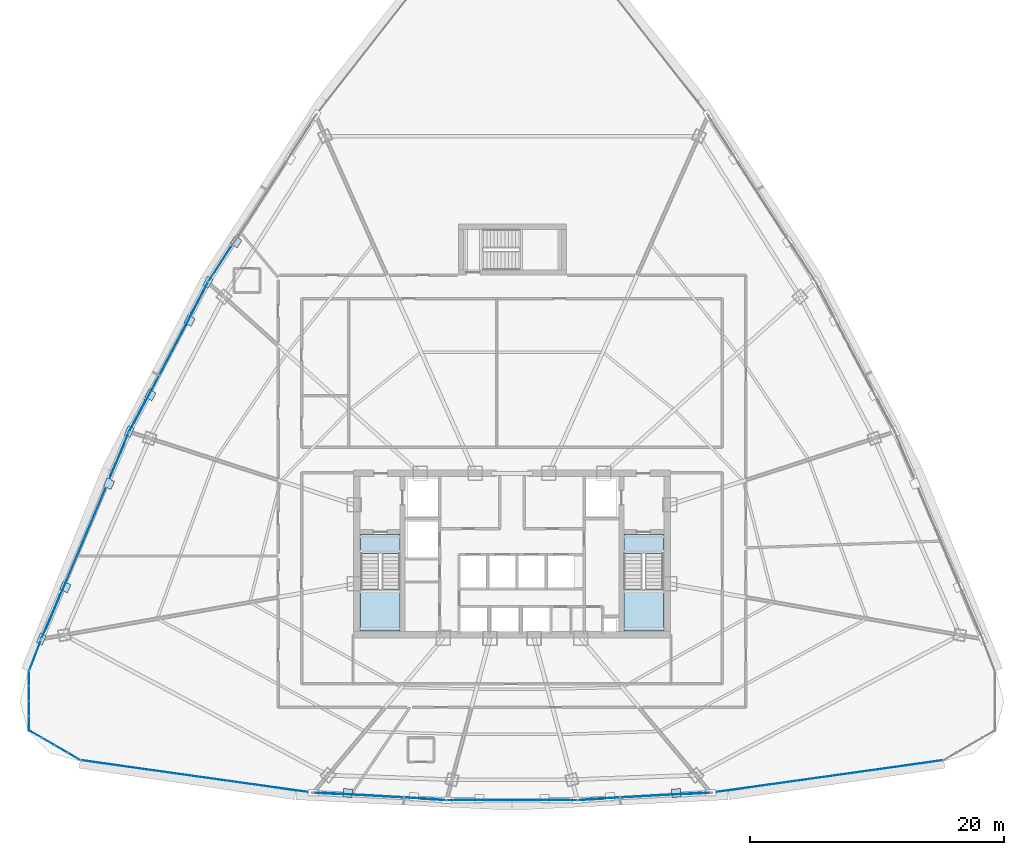
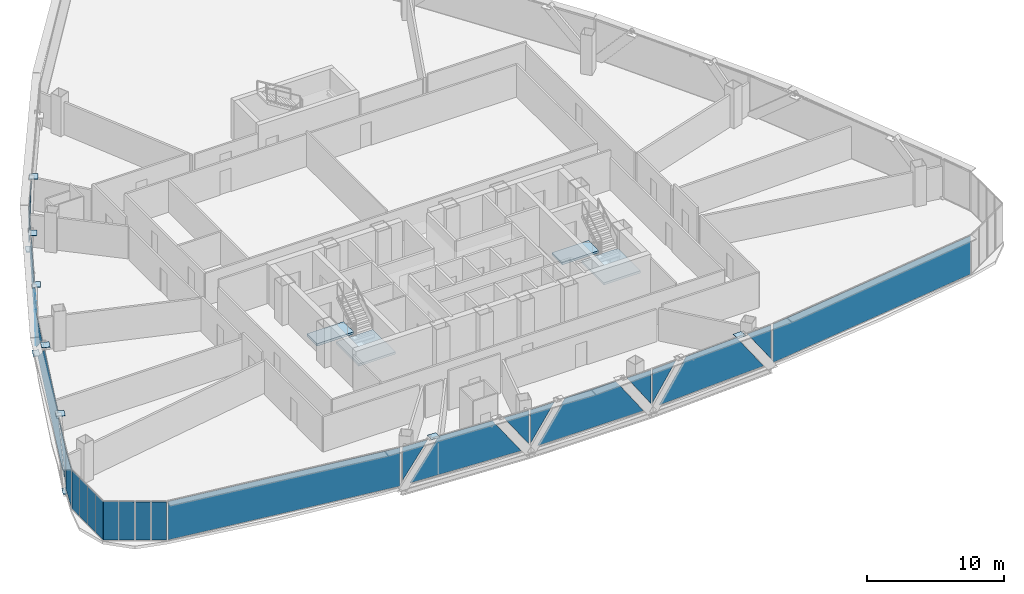
# One storey, part 27 of 37: 37 plates, 4 slabs, 13 elements without a shape of their own.
"""IFC4 building model written with IfcOpenShell, lengths in metres."""

from ifc_helpers import new_model, si_unit, direction, frame, origin, origin_2d, place, context, subcontext, project, spatial, polyline, rectangle, outline, extrude, source, transform, mapped, material, layer, layer_set, type_object, element, aggregate, save


model = new_model("IFC4")

# Units and contexts
model_context = context("Model", 3, precision=1e-05, world=origin(), true_north=direction((0.0, 1.0)))
body_context = subcontext(model_context, "Body", "Model", "MODEL_VIEW")
ifc_project = project(units=[si_unit("LENGTHUNIT", "METRE"), si_unit("AREAUNIT", "SQUARE_METRE"), si_unit("VOLUMEUNIT", "CUBIC_METRE"), si_unit("PLANEANGLEUNIT", "RADIAN"), si_unit("MASSUNIT", "GRAM", prefix="KILO"), si_unit("THERMODYNAMICTEMPERATUREUNIT", "KELVIN"), si_unit("POWERUNIT", "WATT")], contexts=[model_context])

# Site, building, storey
site_placement = place(None, origin())
site = spatial("IfcSite", under=ifc_project, at=site_placement, CompositionType="ELEMENT")
building_placement = place(site_placement, origin())
building = spatial("IfcBuilding", under=site, at=building_placement, Name="Yunzhuo Pagoda Commons", CompositionType="ELEMENT")
storey_placement = place(building_placement, frame((0.0, 0.0, 207.56005859375)))
storey = spatial("IfcBuildingStorey", under=building, at=storey_placement, Name="L52", CompositionType="ELEMENT", Elevation=207.56005859375)

# Curtain wall, plates
ifc_material_1 = material(Name="Anodized aluminium 6063-T6", Category="aluminium")
ifc_layer_1 = layer(ifc_material_1, 0.14990234375)
ifc_layer_set_1 = layer_set([ifc_layer_1], Name="Anodized aluminium 6063-T6")
curtain_wall_type_1 = type_object("IfcCurtainWallType", Name="CW-MID Mid-Zone Ribbon Curtain Wall", PredefinedType="NOTDEFINED", material=ifc_layer_set_1)
curtain_wall_1_placement = place(storey_placement, origin())
curtain_wall_1 = element("IfcCurtainWall", 1, at=curtain_wall_1_placement, inside=storey, type_object=curtain_wall_type_1, Name="L52 curtain wall CW-L52-F1B2", PredefinedType="NOTDEFINED")
ifc_material_2 = material(Name="Tempered low-e double glazing", Category="glass")
ifc_layer_2 = layer(ifc_material_2, 0.028076171875)
ifc_layer_set_2 = layer_set([ifc_layer_2], Name="Tempered low-e double glazing")
plate_type_1 = type_object("IfcPlateType", Name="CW-MID-P Low-E Double Glazing 28", PredefinedType="CURTAIN_PANEL", material=ifc_layer_set_2)
plate_1_placement = place(storey_placement, frame((33.46875, 15.035400390625, 1.990234375), z_axis=(-0.055819443993, -0.998440879408, 0.0), x_axis=(0.998440879408, -0.055819443993, 0.0)))
plate_1 = element("IfcPlate", 2, at=plate_1_placement, type_object=plate_type_1, Name="CW panel 1.1 lite 1", PredefinedType="CURTAIN_PANEL", context=body_context, shape_type="SweptSolid", body=[
    extrude(outline(polyline([(-1.03173828125, -1.49462890625), (1.03173828125, 1.49462890625), (-1.03173828125, 1.49462890625), (-1.03173828125, -1.49462890625)])), origin(), (0.0, 0.0, 1.0), 0.028076171875),
])
plate_2_placement = place(storey_placement, frame((37.61865234375, 14.83349609375, 1.77001953125), z_axis=(-0.055819443993, -0.998440879408, 0.0), x_axis=(0.998440879408, -0.055819443993, 0.0)))
plate_2 = element("IfcPlate", 3, at=plate_2_placement, type_object=plate_type_1, Name="CW panel 1.1 lite 2", PredefinedType="CURTAIN_PANEL", context=body_context, shape_type="SweptSolid", body=[
    extrude(outline(polyline([(-4.567138671875, -1.715087890625), (4.567138671875, -1.715087890625), (2.199462890625, 1.715087890625), (-2.199462890625, 1.715087890625), (-4.567138671875, -1.715087890625)])), origin(), (0.0, 0.0, 1.0), 0.028076171875),
])
plate_3_placement = place(storey_placement, frame((41.76513671875, 14.571533203125, 1.990234375), z_axis=(-0.055819443993, -0.998440879408, 0.0), x_axis=(0.998440879408, -0.055819443993, 0.0)))
plate_3 = element("IfcPlate", 4, at=plate_3_placement, type_object=plate_type_1, Name="CW panel 1.1 lite 3", PredefinedType="CURTAIN_PANEL", context=body_context, shape_type="SweptSolid", body=[
    extrude(outline(polyline([(-1.03173828125, 1.49462890625), (1.03173828125, -1.49462890625), (1.03173828125, 1.49462890625), (-1.03173828125, 1.49462890625)])), origin(), (0.0, 0.0, 1.0), 0.028076171875),
])
aggregate(curtain_wall_1, [plate_1, plate_2, plate_3])

curtain_wall_2_placement = place(storey_placement, origin())
curtain_wall_2 = element("IfcCurtainWall", 5, at=curtain_wall_2_placement, inside=storey, type_object=curtain_wall_type_1, Name="L52 curtain wall CW-L52-F1B3", PredefinedType="NOTDEFINED")
plate_4_placement = place(storey_placement, frame((43.9228515625, 14.5107421875, 1.99560546875), z_axis=(0.0, -1.0, 0.0), x_axis=(1.0, 0.0, 0.0)))
plate_4 = element("IfcPlate", 6, at=plate_4_placement, type_object=plate_type_1, Name="CW panel 1.1 lite 1", PredefinedType="CURTAIN_PANEL", context=body_context, shape_type="SweptSolid", body=[
    extrude(outline(polyline([(-1.00830078125, -1.4892578125), (1.00830078125, 1.4892578125), (-1.00830078125, 1.4892578125), (-1.00830078125, -1.4892578125)])), origin(), (0.0, 0.0, 1.0), 0.028076171875),
])
plate_5_placement = place(storey_placement, frame((48.0, 14.541015625, 1.77001953125), z_axis=(0.0, -1.0, 0.0), x_axis=(1.0, 0.0, 0.0)))
plate_5 = element("IfcPlate", 7, at=plate_5_placement, type_object=plate_type_1, Name="CW panel 1.1 lite 2", PredefinedType="CURTAIN_PANEL", context=body_context, shape_type="SweptSolid", body=[
    extrude(outline(polyline([(-4.473388671875, -1.715087890625), (4.473388671875, -1.715087890625), (2.15087890625, 1.715087890625), (-2.15087890625, 1.715087890625), (-4.473388671875, -1.715087890625)])), origin(), (0.0, 0.0, 1.0), 0.028076171875),
])
plate_6_placement = place(storey_placement, frame((52.0771484375, 14.5107421875, 1.99560546875), z_axis=(0.0, -1.0, 0.0), x_axis=(1.0, 0.0, 0.0)))
plate_6 = element("IfcPlate", 8, at=plate_6_placement, type_object=plate_type_1, Name="CW panel 1.1 lite 3", PredefinedType="CURTAIN_PANEL", context=body_context, shape_type="SweptSolid", body=[
    extrude(outline(polyline([(-1.00830078125, 1.4892578125), (1.00830078125, -1.4892578125), (1.00830078125, 1.4892578125), (-1.00830078125, 1.4892578125)])), origin(), (0.0, 0.0, 1.0), 0.028076171875),
])
aggregate(curtain_wall_2, [plate_4, plate_5, plate_6])

curtain_wall_3_placement = place(storey_placement, origin())
curtain_wall_3 = element("IfcCurtainWall", 9, at=curtain_wall_3_placement, inside=storey, type_object=curtain_wall_type_1, Name="L52 curtain wall CW-L52-F1B4", PredefinedType="NOTDEFINED")
plate_7_placement = place(storey_placement, frame((54.23486328125, 14.571533203125, 1.990234375), z_axis=(0.055819443993, -0.998440879408, 0.0), x_axis=(0.998440879408, 0.055819443993, 0.0)))
plate_7 = element("IfcPlate", 10, at=plate_7_placement, type_object=plate_type_1, Name="CW panel 1.1 lite 1", PredefinedType="CURTAIN_PANEL", context=body_context, shape_type="SweptSolid", body=[
    extrude(outline(polyline([(-1.03173828125, -1.49462890625), (1.03173828125, 1.49462890625), (-1.03173828125, 1.49462890625), (-1.03173828125, -1.49462890625)])), origin(), (0.0, 0.0, 1.0), 0.028076171875),
])
plate_8_placement = place(storey_placement, frame((58.38134765625, 14.83349609375, 1.77001953125), z_axis=(0.055819443993, -0.998440879408, 0.0), x_axis=(0.998440879408, 0.055819443993, 0.0)))
plate_8 = element("IfcPlate", 11, at=plate_8_placement, type_object=plate_type_1, Name="CW panel 1.1 lite 2", PredefinedType="CURTAIN_PANEL", context=body_context, shape_type="SweptSolid", body=[
    extrude(outline(polyline([(-4.567138671875, -1.715087890625), (4.567138671875, -1.715087890625), (2.199462890625, 1.715087890625), (-2.199462890625, 1.715087890625), (-4.567138671875, -1.715087890625)])), origin(), (0.0, 0.0, 1.0), 0.028076171875),
])
plate_9_placement = place(storey_placement, frame((62.53125, 15.035400390625, 1.990234375), z_axis=(0.055819443993, -0.998440879408, 0.0), x_axis=(0.998440879408, 0.055819443993, 0.0)))
plate_9 = element("IfcPlate", 12, at=plate_9_placement, type_object=plate_type_1, Name="CW panel 1.1 lite 3", PredefinedType="CURTAIN_PANEL", context=body_context, shape_type="SweptSolid", body=[
    extrude(outline(polyline([(-1.03173828125, 1.49462890625), (1.03173828125, -1.49462890625), (1.03173828125, 1.49462890625), (-1.03173828125, 1.49462890625)])), origin(), (0.0, 0.0, 1.0), 0.028076171875),
])
aggregate(curtain_wall_3, [plate_7, plate_8, plate_9])

# Curtain wall, plate
curtain_wall_4_placement = place(storey_placement, origin())
curtain_wall_4 = element("IfcCurtainWall", 13, at=curtain_wall_4_placement, inside=storey, type_object=curtain_wall_type_1, Name="L52 curtain wall CW-L52-F3B2", PredefinedType="NOTDEFINED")
plate_10_placement = place(storey_placement, frame((25.01171875, 56.637451171875, 1.90673828125), z_axis=(-0.839965077478, 0.542640459805, 0.0), x_axis=(-0.542640459805, -0.839965077478, 0.0)))
plate_10 = element("IfcPlate", 14, at=plate_10_placement, type_object=plate_type_1, Name="CW panel 1.1 lite 3", PredefinedType="CURTAIN_PANEL", context=body_context, shape_type="SweptSolid", body=[
    extrude(outline(polyline([(-1.622802734375, 1.578369140625), (1.623046875, -1.578369140625), (1.623046875, 1.578369140625), (-1.622802734375, 1.578369140625)])), origin(), (0.0, 0.0, 1.0), 0.028076171875),
])
aggregate(curtain_wall_4, [plate_10])

# Curtain wall, plates
curtain_wall_5_placement = place(storey_placement, origin())
curtain_wall_5 = element("IfcCurtainWall", 15, at=curtain_wall_5_placement, inside=storey, type_object=curtain_wall_type_1, Name="L52 curtain wall CW-L52-F3B3", PredefinedType="NOTDEFINED")
plate_11_placement = place(storey_placement, frame((23.43994140625, 53.97412109375, 1.935546875), z_axis=(-0.884591690585, 0.466366316267, 0.0), x_axis=(-0.466366316267, -0.884591690585, 0.0)))
plate_11 = element("IfcPlate", 16, at=plate_11_placement, type_object=plate_type_1, Name="CW panel 1.1 lite 1", PredefinedType="CURTAIN_PANEL", context=body_context, shape_type="SweptSolid", body=[
    extrude(outline(polyline([(-1.35400390625, -1.54931640625), (1.35400390625, 1.54931640625), (-1.35400390625, 1.54931640625), (-1.35400390625, -1.54931640625)])), origin(), (0.0, 0.0, 1.0), 0.028076171875),
])
plate_12_placement = place(storey_placement, frame((21.028564453125, 49.33642578125, 1.77001953125), z_axis=(-0.884591690585, 0.466366316267, 0.0), x_axis=(-0.466366316267, -0.884591690585, 0.0)))
plate_12 = element("IfcPlate", 17, at=plate_12_placement, type_object=plate_type_1, Name="CW panel 1.1 lite 2", PredefinedType="CURTAIN_PANEL", context=body_context, shape_type="SweptSolid", body=[
    extrude(outline(polyline([(-5.861083984375, -1.715087890625), (5.861083984375, -1.715087890625), (2.86376953125, 1.715087890625), (-2.864013671875, 1.715087890625), (-5.861083984375, -1.715087890625)])), origin(), (0.0, 0.0, 1.0), 0.028076171875),
])
plate_13_placement = place(storey_placement, frame((18.564453125, 44.7265625, 1.935546875), z_axis=(-0.884591690585, 0.466366316267, 0.0), x_axis=(-0.466366316267, -0.884591690585, 0.0)))
plate_13 = element("IfcPlate", 18, at=plate_13_placement, type_object=plate_type_1, Name="CW panel 1.1 lite 3", PredefinedType="CURTAIN_PANEL", context=body_context, shape_type="SweptSolid", body=[
    extrude(outline(polyline([(-1.35400390625, 1.54931640625), (1.35400390625, -1.54931640625), (1.35400390625, 1.54931640625), (-1.35400390625, 1.54931640625)])), origin(), (0.0, 0.0, 1.0), 0.028076171875),
])
aggregate(curtain_wall_5, [plate_11, plate_12, plate_13])

curtain_wall_6_placement = place(storey_placement, origin())
curtain_wall_6 = element("IfcCurtainWall", 19, at=curtain_wall_6_placement, inside=storey, type_object=curtain_wall_type_1, Name="L52 curtain wall CW-L52-F3B4", PredefinedType="NOTDEFINED")
plate_14_placement = place(storey_placement, frame((17.15673828125, 41.708984375, 1.888427734375), z_axis=(-0.920824274127, 0.389977763697, 0.0), x_axis=(-0.389977763697, -0.920824274127, 0.0)))
plate_14 = element("IfcPlate", 20, at=plate_14_placement, type_object=plate_type_1, Name="CW panel 1.1 lite 1", PredefinedType="CURTAIN_PANEL", context=body_context, shape_type="SweptSolid", body=[
    extrude(outline(polyline([(-1.860107421875, -1.596435546875), (1.860107421875, 1.596435546875), (-1.860107421875, 1.596435546875), (-1.860107421875, -1.596435546875)])), origin(), (0.0, 0.0, 1.0), 0.028076171875),
])
plate_15_placement = place(storey_placement, frame((14.479736328125, 35.310791015625, 1.77001953125), z_axis=(-0.920824274127, 0.389977763697, 0.0), x_axis=(-0.389977763697, -0.920824274127, 0.0)))
plate_15 = element("IfcPlate", 21, at=plate_15_placement, type_object=plate_type_1, Name="CW panel 1.1 lite 2", PredefinedType="CURTAIN_PANEL", context=body_context, shape_type="SweptSolid", body=[
    extrude(outline(polyline([(-7.9052734375, -1.715087890625), (7.9052734375, -1.715087890625), (3.908447265625, 1.715087890625), (-3.908447265625, 1.715087890625), (-7.9052734375, -1.715087890625)])), origin(), (0.0, 0.0, 1.0), 0.028076171875),
])
plate_16_placement = place(storey_placement, frame((11.747314453125, 28.93603515625, 1.888427734375), z_axis=(-0.920824274127, 0.389977763697, 0.0), x_axis=(-0.389977763697, -0.920824274127, 0.0)))
plate_16 = element("IfcPlate", 22, at=plate_16_placement, type_object=plate_type_1, Name="CW panel 1.1 lite 3", PredefinedType="CURTAIN_PANEL", context=body_context, shape_type="SweptSolid", body=[
    extrude(outline(polyline([(-1.860107421875, 1.596435546875), (1.860107421875, -1.596435546875), (1.860107421875, 1.596435546875), (-1.860107421875, 1.596435546875)])), origin(), (0.0, 0.0, 1.0), 0.028076171875),
])
aggregate(curtain_wall_6, [plate_14, plate_15, plate_16])

# Stair, slabs
ifc_material_3 = material(Name="Concrete C40", Category="concrete")
stair_type_1 = type_object("IfcStairType", Name="ST-C1 Core Smokeproof Stair ST1", PredefinedType="HALF_TURN_STAIR", material=ifc_material_3)
stair_1_placement = place(storey_placement, origin())
stair_1 = element("IfcStair", 23, at=stair_1_placement, inside=storey, type_object=stair_type_1, Name="L52 Core smokeproof stair ST1", PredefinedType="HALF_TURN_STAIR")
ifc_layer_3 = layer(ifc_material_3, 0.199951171875)
ifc_layer_set_3 = layer_set([ifc_layer_3], Name="Concrete C40")
slab_type_1 = type_object("IfcSlabType", Name="SL-LND1 Stair Landing Slab 200", PredefinedType="LANDING", material=ifc_layer_set_3)
slab_1_placement = place(storey_placement, frame((0.0, 0.0, 1.699951171875)))
slab_1 = element("IfcSlab", 24, at=slab_1_placement, type_object=slab_type_1, Name="ST1 landing 1", PredefinedType="LANDING", context=body_context, shape_type="SweptSolid", body=[
    extrude(outline(polyline([(36.10009765625, 31.10009765625), (36.10009765625, 27.800048828125), (39.199951171875, 27.800048828125), (39.199951171875, 31.10009765625), (36.10009765625, 31.10009765625)])), origin(), (0.0, 0.0, 1.0), 0.199951171875),
])
slab_2_placement = place(storey_placement, frame((0.0, 0.0, -0.199951171875)))
slab_2 = element("IfcSlab", 25, at=slab_2_placement, type_object=slab_type_1, Name="ST1 floor landing L52", PredefinedType="LANDING", context=body_context, shape_type="SweptSolid", body=[
    extrude(outline(polyline([(36.10009765625, 35.39990234375), (36.10009765625, 33.89990234375), (39.199951171875, 33.89990234375), (39.199951171875, 35.39990234375), (36.10009765625, 35.39990234375)])), origin(), (0.0, 0.0, 1.0), 0.199951171875),
])
aggregate(stair_1, [slab_1, slab_2])

stair_type_2 = type_object("IfcStairType", Name="ST-C2 Core Smokeproof Stair ST2", PredefinedType="HALF_TURN_STAIR", material=ifc_material_3)
stair_2_placement = place(storey_placement, origin())
stair_2 = element("IfcStair", 26, at=stair_2_placement, inside=storey, type_object=stair_type_2, Name="L52 Core smokeproof stair ST2", PredefinedType="HALF_TURN_STAIR")
ifc_layer_4 = layer(ifc_material_3, 0.201904296875)
ifc_layer_set_4 = layer_set([ifc_layer_4], Name="Concrete C40")
slab_type_2 = type_object("IfcSlabType", Name="SL-LND2 Stair Landing Slab 202", PredefinedType="LANDING", material=ifc_layer_set_4)
slab_3_placement = place(storey_placement, frame((0.0, 0.0, 1.699951171875)))
slab_3 = element("IfcSlab", 27, at=slab_3_placement, type_object=slab_type_2, Name="ST2 landing 1", PredefinedType="LANDING", context=body_context, shape_type="SweptSolid", body=[
    extrude(outline(polyline([(56.800048828125, 31.10009765625), (56.800048828125, 27.800048828125), (59.89990234375, 27.800048828125), (59.89990234375, 31.10009765625), (56.800048828125, 31.10009765625)])), origin(), (0.0, 0.0, 1.0), 0.199951171875),
])
slab_4_placement = place(storey_placement, frame((0.0, 0.0, -0.199951171875)))
slab_4 = element("IfcSlab", 28, at=slab_4_placement, type_object=slab_type_2, Name="ST2 floor landing L52", PredefinedType="LANDING", context=body_context, shape_type="SweptSolid", body=[
    extrude(outline(polyline([(56.800048828125, 35.39990234375), (56.800048828125, 33.89990234375), (59.89990234375, 33.89990234375), (59.89990234375, 35.39990234375), (56.800048828125, 35.39990234375)])), origin(), (0.0, 0.0, 1.0), 0.199951171875),
])
aggregate(stair_2, [slab_3, slab_4])

# Plates
ifc_material_4 = material(Name="Structural steel Q355B", Category="steel")
ifc_layer_5 = layer(ifc_material_4, 0.028076171875)
ifc_layer_set_5 = layer_set([ifc_layer_5], Name="Structural steel Q355B")
plate_type_2 = type_object("IfcPlateType", Name="SP-ND1 Lattice Node Cap Plate 800x500x28", PredefinedType="USERDEFINED", material=ifc_layer_set_5)
shared_shape_1 = source(origin(), body_context, "Body", "SweptSolid", [
    extrude(rectangle(XDim=0.800048828125, YDim=0.5, at=origin_2d()), origin(), (0.0, 0.0, 1.0), 0.028076171875),
])
for number, where, z_axis, x_axis, name in (
    (29, (24.0869140625, 55.2314453125, -0.27392578125), (0.0, 0.0, 1.0), (-0.466371201418, -0.884589115063, 0.0), "L52 diamond node plate F3.2A"),
    (30, (17.892578125, 43.482421875, -0.27392578125), (0.0, 0.0, 1.0), (-0.38997590261, -0.920825062313, 0.0), "L52 diamond node plate F3.3A"),
    (31, (10.985595703125, 27.17333984375, -0.27392578125), (0.0, 0.0, 1.0), (-0.38997590261, -0.920825062313, 0.0), "L52 diamond node plate F3.3B"),
):
    element("IfcPlate", number, at=place(storey_placement, frame(where, z_axis=z_axis, x_axis=x_axis)), inside=storey, type_object=plate_type_2, Name=name, ObjectType="STIFFENER_PLATE", PredefinedType="USERDEFINED", context=body_context, shape_type="MappedRepresentation", body=[
        mapped(shared_shape_1, transform((0.0, 0.0, 0.0), scale=1.0)),
    ])
shared_shape_2 = source(origin(), body_context, "Body", "SweptSolid", [
    extrude(rectangle(XDim=0.699951171875, YDim=0.66162109375, at=origin_2d()), origin(), (0.0, 0.0, 1.0), 0.035888671875),
])
for number, where, z_axis, x_axis, name in (
    (32, (35.0859375, 15.064208984375, 3.501953125), (0.0, 0.0, 1.0), (0.998440764182, -0.055821504993, 0.0), "L52 setback lattice tie plate F1.1L"),
    (33, (60.9140625, 15.064208984375, 3.501953125), (0.0, 0.0, 1.0), (0.998440764182, 0.055821504993, 0.0), "L52 setback lattice tie plate F1.3R"),
):
    element("IfcPlate", number, at=place(storey_placement, frame(where, z_axis=z_axis, x_axis=x_axis)), inside=storey, type_object=plate_type_2, Name=name, ObjectType="STIFFENER_PLATE", PredefinedType="USERDEFINED", context=body_context, shape_type="MappedRepresentation", body=[
        mapped(shared_shape_2, transform((0.0, 0.0, 0.0), scale=1.0)),
    ])
shared_shape_3 = source(origin(), body_context, "Body", "SweptSolid", [
    extrude(rectangle(XDim=0.699951171875, YDim=0.672607421875, at=origin_2d()), origin(), (0.0, 0.0, 1.0), 0.035888671875),
])
plate_17_placement = place(storey_placement, frame((12.873046875, 31.26220703125, 3.501953125), z_axis=(0.0, 0.0, 1.0), x_axis=(-0.38997590261, -0.920825062313, 0.0)))
element("IfcPlate", 34, at=plate_17_placement, inside=storey, type_object=plate_type_2, Name="L52 setback lattice tie plate F3.3R", ObjectType="STIFFENER_PLATE", PredefinedType="USERDEFINED", context=body_context, shape_type="MappedRepresentation", body=[
    mapped(shared_shape_3, transform((0.0, 0.0, 0.0), scale=1.0)),
])
shared_shape_4 = source(origin(), body_context, "Body", "SweptSolid", [
    extrude(rectangle(XDim=0.699951171875, YDim=0.64111328125, at=origin_2d()), origin(), (0.0, 0.0, 1.0), 0.035888671875),
])
plate_18_placement = place(storey_placement, frame((16.30908203125, 39.3798828125, 3.501953125), z_axis=(0.0, 0.0, 1.0), x_axis=(-0.38997590261, -0.920825062313, 0.0)))
element("IfcPlate", 35, at=plate_18_placement, inside=storey, type_object=plate_type_2, Name="L52 setback lattice tie plate F3.3L", ObjectType="STIFFENER_PLATE", PredefinedType="USERDEFINED", context=body_context, shape_type="MappedRepresentation", body=[
    mapped(shared_shape_4, transform((0.0, 0.0, 0.0), scale=1.0)),
])
shared_shape_5 = source(origin(), body_context, "Body", "SweptSolid", [
    extrude(rectangle(XDim=0.699951171875, YDim=0.62939453125, at=origin_2d()), origin(), (0.0, 0.0, 1.0), 0.035888671875),
])
plate_19_placement = place(storey_placement, frame((22.651123046875, 52.2119140625, 3.501953125), z_axis=(0.0, 0.0, 1.0), x_axis=(-0.466371201418, -0.884589115063, 0.0)))
element("IfcPlate", 36, at=plate_19_placement, inside=storey, type_object=plate_type_2, Name="L52 setback lattice tie plate F3.2L", ObjectType="STIFFENER_PLATE", PredefinedType="USERDEFINED", context=body_context, shape_type="MappedRepresentation", body=[
    mapped(shared_shape_5, transform((0.0, 0.0, 0.0), scale=1.0)),
])
shared_shape_6 = source(origin(), body_context, "Body", "SweptSolid", [
    extrude(rectangle(XDim=0.699951171875, YDim=0.640380859375, at=origin_2d()), origin(), (0.0, 0.0, 1.0), 0.035888671875),
])
plate_20_placement = place(storey_placement, frame((26.30322265625, 58.40478515625, 3.501953125), z_axis=(0.0, 0.0, 1.0), x_axis=(-0.542646794047, -0.83996098535, 0.0)))
element("IfcPlate", 37, at=plate_20_placement, inside=storey, type_object=plate_type_2, Name="L52 setback lattice tie plate F3.1R", ObjectType="STIFFENER_PLATE", PredefinedType="USERDEFINED", context=body_context, shape_type="MappedRepresentation", body=[
    mapped(shared_shape_6, transform((0.0, 0.0, 0.0), scale=1.0)),
])
shared_shape_7 = source(origin(), body_context, "Body", "SweptSolid", [
    extrude(rectangle(XDim=0.699951171875, YDim=0.628662109375, at=origin_2d()), origin(), (0.0, 0.0, 1.0), 0.035888671875),
])
plate_21_placement = place(storey_placement, frame((19.568603515625, 46.36328125, 3.501953125), z_axis=(0.0, 0.0, 1.0), x_axis=(-0.466371201418, -0.884589115063, 0.0)))
element("IfcPlate", 38, at=plate_21_placement, inside=storey, type_object=plate_type_2, Name="L52 setback lattice tie plate F3.2R", ObjectType="STIFFENER_PLATE", PredefinedType="USERDEFINED", context=body_context, shape_type="MappedRepresentation", body=[
    mapped(shared_shape_7, transform((0.0, 0.0, 0.0), scale=1.0)),
])

# Curtain wall, plate
curtain_wall_7_placement = place(storey_placement, origin())
curtain_wall_7 = element("IfcCurtainWall", 39, at=curtain_wall_7_placement, inside=storey, type_object=curtain_wall_type_1, Name="L52 curtain wall CW-L52-F1B1", PredefinedType="NOTDEFINED")
shared_shape_8 = source(origin(), body_context, "Body", "SweptSolid", [
    extrude(rectangle(XDim=18.3125, YDim=0.028076171875, at=origin_2d()), origin(), (0.0, 0.0, 1.0), 3.429931640625),
])
plate_22_placement = place(storey_placement, frame((23.1767578125, 16.372314453125, 0.05517578125), z_axis=(0.0, 0.0, 1.0), x_axis=(0.990317700531, -0.138819494362, 0.0)))
plate_22 = element("IfcPlate", 40, at=plate_22_placement, type_object=plate_type_1, Name="CW panel 1.1", PredefinedType="CURTAIN_PANEL", context=body_context, shape_type="MappedRepresentation", body=[
    mapped(shared_shape_8, transform((0.0, 0.0, 0.0), scale=1.0)),
])
aggregate(curtain_wall_7, [plate_22])

curtain_wall_8_placement = place(storey_placement, origin())
curtain_wall_8 = element("IfcCurtainWall", 41, at=curtain_wall_8_placement, inside=storey, type_object=curtain_wall_type_1, Name="L52 curtain wall CW-L52-F1B5", PredefinedType="NOTDEFINED")
plate_23_placement = place(storey_placement, frame((72.8232421875, 16.372314453125, 0.05517578125), z_axis=(0.0, 0.0, 1.0), x_axis=(0.990317700531, 0.138819494362, 0.0)))
plate_23 = element("IfcPlate", 42, at=plate_23_placement, type_object=plate_type_1, Name="CW panel 1.1", PredefinedType="CURTAIN_PANEL", context=body_context, shape_type="MappedRepresentation", body=[
    mapped(shared_shape_8, transform((0.0, 0.0, 0.0), scale=1.0)),
])
aggregate(curtain_wall_8, [plate_23])

curtain_wall_9_placement = place(storey_placement, origin())
curtain_wall_9 = element("IfcCurtainWall", 43, at=curtain_wall_9_placement, inside=storey, type_object=curtain_wall_type_1, Name="L52 curtain wall CW-L52-F3B5", PredefinedType="NOTDEFINED")
shared_shape_9 = source(origin(), body_context, "Body", "SweptSolid", [
    extrude(rectangle(XDim=2.50048828125, YDim=0.028076171875, at=origin_2d()), origin(), (0.0, 0.0, 1.0), 3.429931640625),
])
plate_24_placement = place(storey_placement, frame((10.494384765625, 25.878173828125, 0.05517578125), z_axis=(0.0, 0.0, 1.0), x_axis=(-0.354558749116, -0.935033739191, 0.0)))
plate_24 = element("IfcPlate", 44, at=plate_24_placement, type_object=plate_type_1, Name="CW panel 1.1", PredefinedType="CURTAIN_PANEL", context=body_context, shape_type="MappedRepresentation", body=[
    mapped(shared_shape_9, transform((0.0, 0.0, 0.0), scale=1.0)),
])
aggregate(curtain_wall_9, [plate_24])

# Curtain wall, plates
ifc_layer_6 = layer(ifc_material_1, 0.1298828125)
ifc_layer_set_6 = layer_set([ifc_layer_6], Name="Anodized aluminium 6063-T6")
curtain_wall_type_2 = type_object("IfcCurtainWallType", Name="CW-VTX Rounded Corner Curtain Wall", PredefinedType="NOTDEFINED", material=ifc_layer_set_6)
curtain_wall_10_placement = place(storey_placement, origin())
curtain_wall_10 = element("IfcCurtainWall", 45, at=curtain_wall_10_placement, inside=storey, type_object=curtain_wall_type_2, Name="L52 curtain wall CW-L52-VTX1S1", PredefinedType="NOTDEFINED")
ifc_layer_7 = layer(ifc_material_2, 0.02587890625)
ifc_layer_set_7 = layer_set([ifc_layer_7], Name="Tempered low-e double glazing")
plate_type_3 = type_object("IfcPlateType", Name="CW-VTX-P Low-E Double Glazing 26", PredefinedType="CURTAIN_PANEL", material=ifc_layer_set_7)
shared_shape_10 = source(origin(), body_context, "Body", "SweptSolid", [
    extrude(rectangle(XDim=1.09521484375, YDim=0.028076171875, at=origin_2d()), origin(), (0.0, 0.0, 1.0), 3.429931640625),
])
plate_25_placement = place(storey_placement, frame((10.027587890625, 24.050537109375, 0.05517578125), z_axis=(0.0, 0.0, 1.0), x_axis=(-0.00358763029, -0.999993564434, 0.0)))
plate_25 = element("IfcPlate", 46, at=plate_25_placement, type_object=plate_type_3, Name="CW panel 1.1", PredefinedType="CURTAIN_PANEL", context=body_context, shape_type="MappedRepresentation", body=[
    mapped(shared_shape_10, transform((0.0, 0.0, 0.0), scale=1.0)),
])
plate_26_placement = place(storey_placement, frame((10.01513671875, 20.544921875, 0.05517578125), z_axis=(0.0, 0.0, 1.0), x_axis=(-0.00358763029, -0.999993564434, 0.0)))
plate_26 = element("IfcPlate", 47, at=plate_26_placement, type_object=plate_type_3, Name="CW panel 4.1", PredefinedType="CURTAIN_PANEL", context=body_context, shape_type="MappedRepresentation", body=[
    mapped(shared_shape_10, transform((0.0, 0.0, 0.0), scale=1.0)),
])

curtain_wall_11_placement = place(storey_placement, origin())
curtain_wall_11 = element("IfcCurtainWall", 48, at=curtain_wall_11_placement, inside=storey, type_object=curtain_wall_type_2, Name="L52 curtain wall CW-L52-VTX1S2", PredefinedType="NOTDEFINED")
plate_27_placement = place(storey_placement, frame((10.494384765625, 19.7099609375, 0.05517578125), z_axis=(0.0, 0.0, 1.0), x_axis=(0.865425801013, -0.50103710735, 0.0)))
plate_27 = element("IfcPlate", 49, at=plate_27_placement, type_object=plate_type_3, Name="CW panel 1.1", PredefinedType="CURTAIN_PANEL", context=body_context, shape_type="MappedRepresentation", body=[
    mapped(shared_shape_10, transform((0.0, 0.0, 0.0), scale=1.0)),
])
plate_28_placement = place(storey_placement, frame((13.5283203125, 17.95361328125, 0.05517578125), z_axis=(0.0, 0.0, 1.0), x_axis=(0.865425801013, -0.50103710735, 0.0)))
plate_28 = element("IfcPlate", 50, at=plate_28_placement, type_object=plate_type_3, Name="CW panel 4.1", PredefinedType="CURTAIN_PANEL", context=body_context, shape_type="MappedRepresentation", body=[
    mapped(shared_shape_10, transform((0.0, 0.0, 0.0), scale=1.0)),
])

# Plate
shared_shape_11 = source(origin(), body_context, "Body", "SweptSolid", [
    extrude(rectangle(XDim=1.12255859375, YDim=0.028076171875, at=origin_2d()), origin(), (0.0, 0.0, 1.0), 3.429931640625),
])
plate_29_placement = place(storey_placement, frame((10.0234375, 22.886474609375, 0.05517578125), z_axis=(0.0, 0.0, 1.0), x_axis=(-0.00358763029, -0.999993564434, 0.0)))
plate_29 = element("IfcPlate", 51, at=plate_29_placement, type_object=plate_type_3, Name="CW panel 2.1", PredefinedType="CURTAIN_PANEL", context=body_context, shape_type="MappedRepresentation", body=[
    mapped(shared_shape_11, transform((0.0, 0.0, 0.0), scale=1.0)),
])

plate_30_placement = place(storey_placement, frame((10.019287109375, 21.708984375, 0.05517578125), z_axis=(0.0, 0.0, 1.0), x_axis=(-0.00358763029, -0.999993564434, 0.0)))
plate_30 = element("IfcPlate", 52, at=plate_30_placement, type_object=plate_type_3, Name="CW panel 3.1", PredefinedType="CURTAIN_PANEL", context=body_context, shape_type="MappedRepresentation", body=[
    mapped(shared_shape_11, transform((0.0, 0.0, 0.0), scale=1.0)),
])

aggregate(curtain_wall_10, [plate_25, plate_29, plate_30, plate_26])

plate_31_placement = place(storey_placement, frame((11.501708984375, 19.126708984375, 0.05517578125), z_axis=(0.0, 0.0, 1.0), x_axis=(0.865425801013, -0.50103710735, 0.0)))
plate_31 = element("IfcPlate", 53, at=plate_31_placement, type_object=plate_type_3, Name="CW panel 2.1", PredefinedType="CURTAIN_PANEL", context=body_context, shape_type="MappedRepresentation", body=[
    mapped(shared_shape_11, transform((0.0, 0.0, 0.0), scale=1.0)),
])

plate_32_placement = place(storey_placement, frame((12.52099609375, 18.536865234375, 0.05517578125), z_axis=(0.0, 0.0, 1.0), x_axis=(0.865425801013, -0.50103710735, 0.0)))
plate_32 = element("IfcPlate", 54, at=plate_32_placement, type_object=plate_type_3, Name="CW panel 3.1", PredefinedType="CURTAIN_PANEL", context=body_context, shape_type="MappedRepresentation", body=[
    mapped(shared_shape_11, transform((0.0, 0.0, 0.0), scale=1.0)),
])

aggregate(curtain_wall_11, [plate_27, plate_31, plate_32, plate_28])

save(model, "model.ifc")
